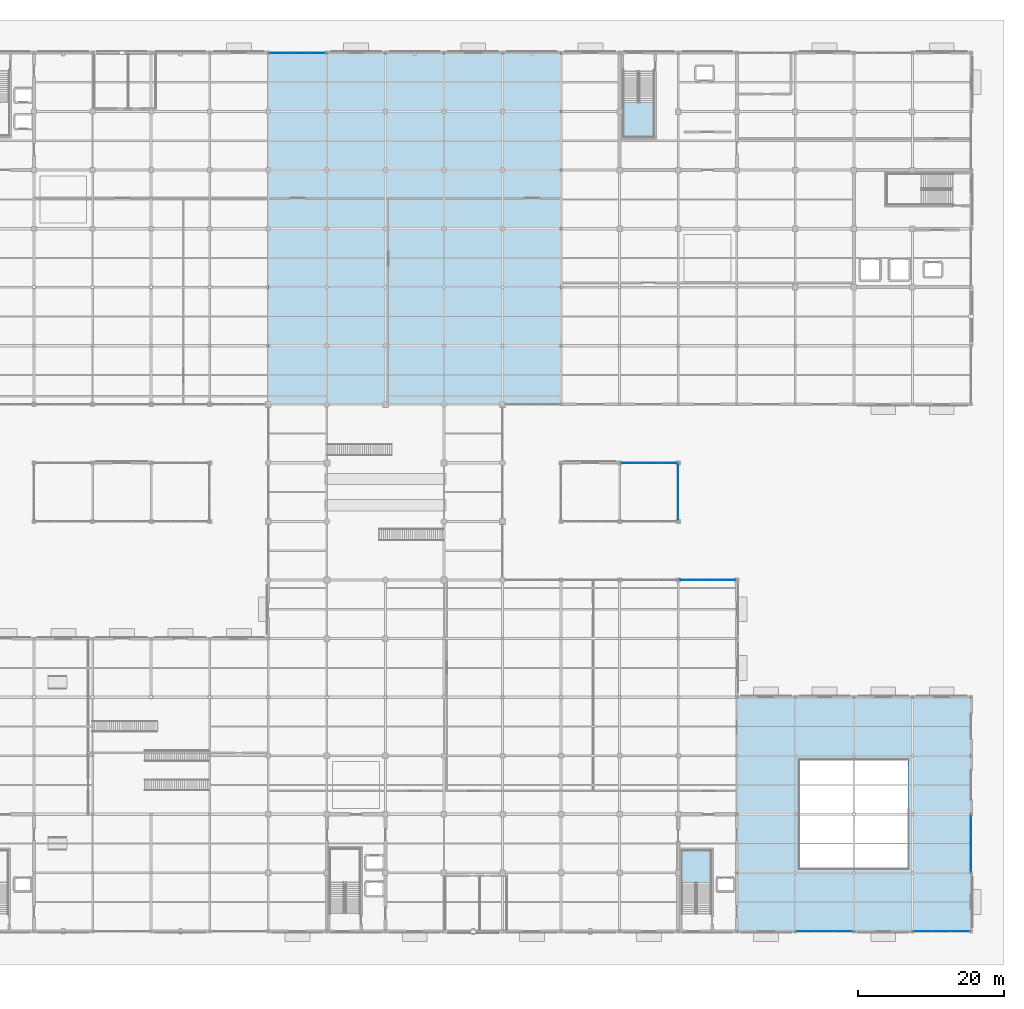
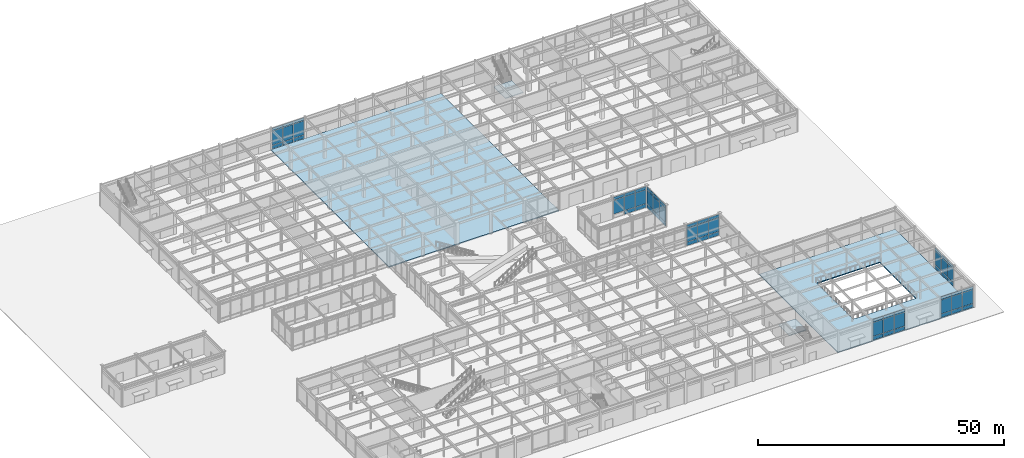
# One storey, part 98 of 128: 62 plates, 4 slabs, 9 elements without a shape of their own.
"""IFC4 building model written with IfcOpenShell, lengths in metres."""

from ifc_helpers import new_model, si_unit, direction, frame, origin, origin_2d, place, context, subcontext, project, spatial, polyline, rectangle, outline, extrude, material, layer, layer_set, type_object, element, aggregate, save


model = new_model("IFC4")

# Units and contexts
model_context = context("Model", 3, precision=1e-05, world=origin(), true_north=direction((0.0, 1.0)))
body_context = subcontext(model_context, "Body", "Model", "MODEL_VIEW")
ifc_project = project(units=[si_unit("LENGTHUNIT", "METRE"), si_unit("AREAUNIT", "SQUARE_METRE"), si_unit("VOLUMEUNIT", "CUBIC_METRE"), si_unit("PLANEANGLEUNIT", "RADIAN"), si_unit("MASSUNIT", "GRAM", prefix="KILO")], contexts=[model_context])

# Site, building, storey
site_placement = place(None, origin())
site = spatial("IfcSite", under=ifc_project, at=site_placement, CompositionType="ELEMENT")
building_placement = place(site_placement, origin())
building = spatial("IfcBuilding", under=site, at=building_placement, Name="Solmirada Galleria", CompositionType="ELEMENT")
storey_placement = place(building_placement, origin())
storey = spatial("IfcBuildingStorey", under=building, at=storey_placement, Name="L00", CompositionType="ELEMENT", Elevation=0.0)

# Curtain wall, plates
ifc_material_1 = material(Name="Impact-resistant low-E double glazing", Category="glass")
curtain_wall_type_1 = type_object("IfcCurtainWallType", Name="CW-FZ4-L00-B3-L076", PredefinedType="NOTDEFINED", material=ifc_material_1)
curtain_wall_1_placement = place(storey_placement, origin())
curtain_wall_1 = element("IfcCurtainWall", 1, at=curtain_wall_1_placement, inside=storey, type_object=curtain_wall_type_1, Name="Terrace and arcade storefront CW-L00-009", PredefinedType="NOTDEFINED")
ifc_layer_1 = layer(ifc_material_1, 0.028076171875)
ifc_layer_set_1 = layer_set([ifc_layer_1], Name="Impact-resistant low-E double glazing")
plate_type_1 = type_object("IfcPlateType", Name="CW-PNL-CW04-T28", PredefinedType="CURTAIN_PANEL", material=ifc_layer_set_1)
plate_1_placement = place(storey_placement, frame((81.487548828125, 120.0, 0.06494140625), z_axis=(0.0, 0.0, 1.0), x_axis=(1.0, 0.0, 0.0)))
plate_1 = element("IfcPlate", 2, at=plate_1_placement, type_object=plate_type_1, Name="CW04 panel 1.1", PredefinedType="CURTAIN_PANEL", context=body_context, shape_type="SweptSolid", body=[
    extrude(rectangle(XDim=2.425048828125, YDim=0.028076171875, at=origin_2d()), origin(), (0.0, 0.0, 1.0), 0.842529296875),
])
plate_2_placement = place(storey_placement, frame((81.487548828125, 120.0, 0.97265625), z_axis=(0.0, 0.0, 1.0), x_axis=(1.0, 0.0, 0.0)))
plate_2 = element("IfcPlate", 3, at=plate_2_placement, type_object=plate_type_1, Name="CW04 panel 1.2", PredefinedType="CURTAIN_PANEL", context=body_context, shape_type="SweptSolid", body=[
    extrude(rectangle(XDim=2.425048828125, YDim=0.028076171875, at=origin_2d()), origin(), (0.0, 0.0, 1.0), 3.5048828125),
])
plate_3_placement = place(storey_placement, frame((81.487548828125, 120.0, 4.54248046875), z_axis=(0.0, 0.0, 1.0), x_axis=(1.0, 0.0, 0.0)))
plate_3 = element("IfcPlate", 4, at=plate_3_placement, type_object=plate_type_1, Name="CW04 panel 1.3", PredefinedType="CURTAIN_PANEL", context=body_context, shape_type="SweptSolid", body=[
    extrude(rectangle(XDim=2.425048828125, YDim=0.028076171875, at=origin_2d()), origin(), (0.0, 0.0, 1.0), 0.71240234375),
])
plate_4_placement = place(storey_placement, frame((84.0, 120.0, 0.06494140625), z_axis=(0.0, 0.0, 1.0), x_axis=(1.0, 0.0, 0.0)))
plate_4 = element("IfcPlate", 5, at=plate_4_placement, type_object=plate_type_1, Name="CW04 panel 2.1", PredefinedType="CURTAIN_PANEL", context=body_context, shape_type="SweptSolid", body=[
    extrude(rectangle(XDim=2.4599609375, YDim=0.028076171875, at=origin_2d()), origin(), (0.0, 0.0, 1.0), 0.842529296875),
])
plate_5_placement = place(storey_placement, frame((84.0, 120.0, 0.97265625), z_axis=(0.0, 0.0, 1.0), x_axis=(1.0, 0.0, 0.0)))
plate_5 = element("IfcPlate", 6, at=plate_5_placement, type_object=plate_type_1, Name="CW04 panel 2.2", PredefinedType="CURTAIN_PANEL", context=body_context, shape_type="SweptSolid", body=[
    extrude(rectangle(XDim=2.4599609375, YDim=0.028076171875, at=origin_2d()), origin(), (0.0, 0.0, 1.0), 3.5048828125),
])
plate_6_placement = place(storey_placement, frame((84.0, 120.0, 4.54248046875), z_axis=(0.0, 0.0, 1.0), x_axis=(1.0, 0.0, 0.0)))
plate_6 = element("IfcPlate", 7, at=plate_6_placement, type_object=plate_type_1, Name="CW04 panel 2.3", PredefinedType="CURTAIN_PANEL", context=body_context, shape_type="SweptSolid", body=[
    extrude(rectangle(XDim=2.4599609375, YDim=0.028076171875, at=origin_2d()), origin(), (0.0, 0.0, 1.0), 0.71240234375),
])
plate_7_placement = place(storey_placement, frame((86.512451171875, 120.0, 0.06494140625), z_axis=(0.0, 0.0, 1.0), x_axis=(1.0, 0.0, 0.0)))
plate_7 = element("IfcPlate", 8, at=plate_7_placement, type_object=plate_type_1, Name="CW04 panel 3.1", PredefinedType="CURTAIN_PANEL", context=body_context, shape_type="SweptSolid", body=[
    extrude(rectangle(XDim=2.425048828125, YDim=0.028076171875, at=origin_2d()), origin(), (0.0, 0.0, 1.0), 0.842529296875),
])
plate_8_placement = place(storey_placement, frame((86.512451171875, 120.0, 0.97265625), z_axis=(0.0, 0.0, 1.0), x_axis=(1.0, 0.0, 0.0)))
plate_8 = element("IfcPlate", 9, at=plate_8_placement, type_object=plate_type_1, Name="CW04 panel 3.2", PredefinedType="CURTAIN_PANEL", context=body_context, shape_type="SweptSolid", body=[
    extrude(rectangle(XDim=2.425048828125, YDim=0.028076171875, at=origin_2d()), origin(), (0.0, 0.0, 1.0), 3.5048828125),
])
plate_9_placement = place(storey_placement, frame((86.512451171875, 120.0, 4.54248046875), z_axis=(0.0, 0.0, 1.0), x_axis=(1.0, 0.0, 0.0)))
plate_9 = element("IfcPlate", 10, at=plate_9_placement, type_object=plate_type_1, Name="CW04 panel 3.3", PredefinedType="CURTAIN_PANEL", context=body_context, shape_type="SweptSolid", body=[
    extrude(rectangle(XDim=2.425048828125, YDim=0.028076171875, at=origin_2d()), origin(), (0.0, 0.0, 1.0), 0.71240234375),
])
aggregate(curtain_wall_1, [plate_1, plate_2, plate_3, plate_4, plate_5, plate_6, plate_7, plate_8, plate_9])

curtain_wall_type_2 = type_object("IfcCurtainWallType", Name="CW-FZ5-L00-B3-L077", PredefinedType="NOTDEFINED", material=ifc_material_1)
curtain_wall_2_placement = place(storey_placement, origin())
curtain_wall_2 = element("IfcCurtainWall", 11, at=curtain_wall_2_placement, inside=storey, type_object=curtain_wall_type_2, Name="Terrace and arcade storefront CW-L00-022", PredefinedType="NOTDEFINED")
ifc_layer_2 = layer(ifc_material_1, 0.048095703125)
ifc_layer_set_2 = layer_set([ifc_layer_2], Name="Impact-resistant low-E double glazing")
plate_type_2 = type_object("IfcPlateType", Name="CW-PNL-CW08-T48", PredefinedType="CURTAIN_PANEL", material=ifc_layer_set_2)
plate_10_placement = place(storey_placement, frame((137.436767578125, 48.0, 0.06494140625), z_axis=(0.0, 0.0, 1.0), x_axis=(1.0, 0.0, 0.0)))
plate_10 = element("IfcPlate", 12, at=plate_10_placement, type_object=plate_type_2, Name="CW08 panel 1.1", PredefinedType="CURTAIN_PANEL", context=body_context, shape_type="SweptSolid", body=[
    extrude(rectangle(XDim=2.4755859375, YDim=0.048095703125, at=origin_2d()), origin(), (0.0, 0.0, 1.0), 0.902587890625),
])
plate_11_placement = place(storey_placement, frame((137.436767578125, 48.0, 1.032470703125), z_axis=(0.0, 0.0, 1.0), x_axis=(1.0, 0.0, 0.0)))
plate_11 = element("IfcPlate", 13, at=plate_11_placement, type_object=plate_type_2, Name="CW08 panel 1.2", PredefinedType="CURTAIN_PANEL", context=body_context, shape_type="SweptSolid", body=[
    extrude(rectangle(XDim=2.4755859375, YDim=0.048095703125, at=origin_2d()), origin(), (0.0, 0.0, 1.0), 3.39501953125),
])
plate_12_placement = place(storey_placement, frame((137.436767578125, 48.0, 4.49267578125), z_axis=(0.0, 0.0, 1.0), x_axis=(1.0, 0.0, 0.0)))
plate_12 = element("IfcPlate", 14, at=plate_12_placement, type_object=plate_type_2, Name="CW08 panel 1.3", PredefinedType="CURTAIN_PANEL", context=body_context, shape_type="SweptSolid", body=[
    extrude(rectangle(XDim=2.4755859375, YDim=0.048095703125, at=origin_2d()), origin(), (0.0, 0.0, 1.0), 0.762451171875),
])
plate_13_placement = place(storey_placement, frame((140.0, 48.0, 0.06494140625), z_axis=(0.0, 0.0, 1.0), x_axis=(1.0, 0.0, 0.0)))
plate_13 = element("IfcPlate", 15, at=plate_13_placement, type_object=plate_type_2, Name="CW08 panel 2.1", PredefinedType="CURTAIN_PANEL", context=body_context, shape_type="SweptSolid", body=[
    extrude(rectangle(XDim=2.5107421875, YDim=0.048095703125, at=origin_2d()), origin(), (0.0, 0.0, 1.0), 0.902587890625),
])
plate_14_placement = place(storey_placement, frame((140.0, 48.0, 1.032470703125), z_axis=(0.0, 0.0, 1.0), x_axis=(1.0, 0.0, 0.0)))
plate_14 = element("IfcPlate", 16, at=plate_14_placement, type_object=plate_type_2, Name="CW08 panel 2.2", PredefinedType="CURTAIN_PANEL", context=body_context, shape_type="SweptSolid", body=[
    extrude(rectangle(XDim=2.5107421875, YDim=0.048095703125, at=origin_2d()), origin(), (0.0, 0.0, 1.0), 3.39501953125),
])
plate_15_placement = place(storey_placement, frame((140.0, 48.0, 4.49267578125), z_axis=(0.0, 0.0, 1.0), x_axis=(1.0, 0.0, 0.0)))
plate_15 = element("IfcPlate", 17, at=plate_15_placement, type_object=plate_type_2, Name="CW08 panel 2.3", PredefinedType="CURTAIN_PANEL", context=body_context, shape_type="SweptSolid", body=[
    extrude(rectangle(XDim=2.5107421875, YDim=0.048095703125, at=origin_2d()), origin(), (0.0, 0.0, 1.0), 0.762451171875),
])
plate_16_placement = place(storey_placement, frame((142.563232421875, 48.0, 0.06494140625), z_axis=(0.0, 0.0, 1.0), x_axis=(1.0, 0.0, 0.0)))
plate_16 = element("IfcPlate", 18, at=plate_16_placement, type_object=plate_type_2, Name="CW08 panel 3.1", PredefinedType="CURTAIN_PANEL", context=body_context, shape_type="SweptSolid", body=[
    extrude(rectangle(XDim=2.4755859375, YDim=0.048095703125, at=origin_2d()), origin(), (0.0, 0.0, 1.0), 0.902587890625),
])
plate_17_placement = place(storey_placement, frame((142.563232421875, 48.0, 1.032470703125), z_axis=(0.0, 0.0, 1.0), x_axis=(1.0, 0.0, 0.0)))
plate_17 = element("IfcPlate", 19, at=plate_17_placement, type_object=plate_type_2, Name="CW08 panel 3.2", PredefinedType="CURTAIN_PANEL", context=body_context, shape_type="SweptSolid", body=[
    extrude(rectangle(XDim=2.4755859375, YDim=0.048095703125, at=origin_2d()), origin(), (0.0, 0.0, 1.0), 3.39501953125),
])
plate_18_placement = place(storey_placement, frame((142.563232421875, 48.0, 4.49267578125), z_axis=(0.0, 0.0, 1.0), x_axis=(1.0, 0.0, 0.0)))
plate_18 = element("IfcPlate", 20, at=plate_18_placement, type_object=plate_type_2, Name="CW08 panel 3.3", PredefinedType="CURTAIN_PANEL", context=body_context, shape_type="SweptSolid", body=[
    extrude(rectangle(XDim=2.4755859375, YDim=0.048095703125, at=origin_2d()), origin(), (0.0, 0.0, 1.0), 0.762451171875),
])
aggregate(curtain_wall_2, [plate_10, plate_11, plate_12, plate_13, plate_14, plate_15, plate_16, plate_17, plate_18])

curtain_wall_3_placement = place(storey_placement, origin())
curtain_wall_3 = element("IfcCurtainWall", 21, at=curtain_wall_3_placement, inside=storey, type_object=curtain_wall_type_2, Name="Terrace and arcade storefront CW-L00-041", PredefinedType="NOTDEFINED")
plate_19_placement = place(storey_placement, frame((129.436767578125, 64.0, 1.032470703125), z_axis=(0.0, 0.0, 1.0), x_axis=(1.0, 0.0, 0.0)))
plate_19 = element("IfcPlate", 22, at=plate_19_placement, type_object=plate_type_2, Name="CW08 panel 1.2", PredefinedType="CURTAIN_PANEL", context=body_context, shape_type="SweptSolid", body=[
    extrude(rectangle(XDim=2.4755859375, YDim=0.048095703125, at=origin_2d()), origin(), (0.0, 0.0, 1.0), 3.39501953125),
])
plate_20_placement = place(storey_placement, frame((129.436767578125, 64.0, 4.49267578125), z_axis=(0.0, 0.0, 1.0), x_axis=(1.0, 0.0, 0.0)))
plate_20 = element("IfcPlate", 23, at=plate_20_placement, type_object=plate_type_2, Name="CW08 panel 1.3", PredefinedType="CURTAIN_PANEL", context=body_context, shape_type="SweptSolid", body=[
    extrude(rectangle(XDim=2.4755859375, YDim=0.048095703125, at=origin_2d()), origin(), (0.0, 0.0, 1.0), 0.762451171875),
])
plate_21_placement = place(storey_placement, frame((132.0, 64.0, 0.06494140625), z_axis=(0.0, 0.0, 1.0), x_axis=(1.0, 0.0, 0.0)))
plate_21 = element("IfcPlate", 24, at=plate_21_placement, type_object=plate_type_2, Name="CW08 panel 2.1", PredefinedType="CURTAIN_PANEL", context=body_context, shape_type="SweptSolid", body=[
    extrude(rectangle(XDim=2.5107421875, YDim=0.048095703125, at=origin_2d()), origin(), (0.0, 0.0, 1.0), 0.902587890625),
])
plate_22_placement = place(storey_placement, frame((132.0, 64.0, 1.032470703125), z_axis=(0.0, 0.0, 1.0), x_axis=(1.0, 0.0, 0.0)))
plate_22 = element("IfcPlate", 25, at=plate_22_placement, type_object=plate_type_2, Name="CW08 panel 2.2", PredefinedType="CURTAIN_PANEL", context=body_context, shape_type="SweptSolid", body=[
    extrude(rectangle(XDim=2.5107421875, YDim=0.048095703125, at=origin_2d()), origin(), (0.0, 0.0, 1.0), 3.39501953125),
])
plate_23_placement = place(storey_placement, frame((132.0, 64.0, 4.49267578125), z_axis=(0.0, 0.0, 1.0), x_axis=(1.0, 0.0, 0.0)))
plate_23 = element("IfcPlate", 26, at=plate_23_placement, type_object=plate_type_2, Name="CW08 panel 2.3", PredefinedType="CURTAIN_PANEL", context=body_context, shape_type="SweptSolid", body=[
    extrude(rectangle(XDim=2.5107421875, YDim=0.048095703125, at=origin_2d()), origin(), (0.0, 0.0, 1.0), 0.762451171875),
])
plate_24_placement = place(storey_placement, frame((134.563232421875, 64.0, 0.06494140625), z_axis=(0.0, 0.0, 1.0), x_axis=(1.0, 0.0, 0.0)))
plate_24 = element("IfcPlate", 27, at=plate_24_placement, type_object=plate_type_2, Name="CW08 panel 3.1", PredefinedType="CURTAIN_PANEL", context=body_context, shape_type="SweptSolid", body=[
    extrude(rectangle(XDim=2.4755859375, YDim=0.048095703125, at=origin_2d()), origin(), (0.0, 0.0, 1.0), 0.902587890625),
])
plate_25_placement = place(storey_placement, frame((134.563232421875, 64.0, 1.032470703125), z_axis=(0.0, 0.0, 1.0), x_axis=(1.0, 0.0, 0.0)))
plate_25 = element("IfcPlate", 28, at=plate_25_placement, type_object=plate_type_2, Name="CW08 panel 3.2", PredefinedType="CURTAIN_PANEL", context=body_context, shape_type="SweptSolid", body=[
    extrude(rectangle(XDim=2.4755859375, YDim=0.048095703125, at=origin_2d()), origin(), (0.0, 0.0, 1.0), 3.39501953125),
])
plate_26_placement = place(storey_placement, frame((134.563232421875, 64.0, 4.49267578125), z_axis=(0.0, 0.0, 1.0), x_axis=(1.0, 0.0, 0.0)))
plate_26 = element("IfcPlate", 29, at=plate_26_placement, type_object=plate_type_2, Name="CW08 panel 3.3", PredefinedType="CURTAIN_PANEL", context=body_context, shape_type="SweptSolid", body=[
    extrude(rectangle(XDim=2.4755859375, YDim=0.048095703125, at=origin_2d()), origin(), (0.0, 0.0, 1.0), 0.762451171875),
])
aggregate(curtain_wall_3, [plate_19, plate_20, plate_21, plate_22, plate_23, plate_24, plate_25, plate_26])

curtain_wall_4_placement = place(storey_placement, origin())
curtain_wall_4 = element("IfcCurtainWall", 30, at=curtain_wall_4_placement, inside=storey, type_object=curtain_wall_type_2, Name="Terrace and arcade storefront CW-L00-042", PredefinedType="NOTDEFINED")
plate_27_placement = place(storey_placement, frame((136.0, 62.563232421875, 0.06494140625), z_axis=(0.0, 0.0, 1.0), x_axis=(0.0, -1.0, 0.0)))
plate_27 = element("IfcPlate", 31, at=plate_27_placement, type_object=plate_type_2, Name="CW08 panel 1.1", PredefinedType="CURTAIN_PANEL", context=body_context, shape_type="SweptSolid", body=[
    extrude(rectangle(XDim=2.4755859375, YDim=0.048095703125, at=origin_2d()), origin(), (0.0, 0.0, 1.0), 0.902587890625),
])
plate_28_placement = place(storey_placement, frame((136.0, 62.563232421875, 1.032470703125), z_axis=(0.0, 0.0, 1.0), x_axis=(0.0, -1.0, 0.0)))
plate_28 = element("IfcPlate", 32, at=plate_28_placement, type_object=plate_type_2, Name="CW08 panel 1.2", PredefinedType="CURTAIN_PANEL", context=body_context, shape_type="SweptSolid", body=[
    extrude(rectangle(XDim=2.4755859375, YDim=0.048095703125, at=origin_2d()), origin(), (0.0, 0.0, 1.0), 3.39501953125),
])
plate_29_placement = place(storey_placement, frame((136.0, 62.563232421875, 4.49267578125), z_axis=(0.0, 0.0, 1.0), x_axis=(0.0, -1.0, 0.0)))
plate_29 = element("IfcPlate", 33, at=plate_29_placement, type_object=plate_type_2, Name="CW08 panel 1.3", PredefinedType="CURTAIN_PANEL", context=body_context, shape_type="SweptSolid", body=[
    extrude(rectangle(XDim=2.4755859375, YDim=0.048095703125, at=origin_2d()), origin(), (0.0, 0.0, 1.0), 0.762451171875),
])
plate_30_placement = place(storey_placement, frame((136.0, 60.0, 0.06494140625), z_axis=(0.0, 0.0, 1.0), x_axis=(0.0, -1.0, 0.0)))
plate_30 = element("IfcPlate", 34, at=plate_30_placement, type_object=plate_type_2, Name="CW08 panel 2.1", PredefinedType="CURTAIN_PANEL", context=body_context, shape_type="SweptSolid", body=[
    extrude(rectangle(XDim=2.5107421875, YDim=0.048095703125, at=origin_2d()), origin(), (0.0, 0.0, 1.0), 0.902587890625),
])
plate_31_placement = place(storey_placement, frame((136.0, 60.0, 1.032470703125), z_axis=(0.0, 0.0, 1.0), x_axis=(0.0, -1.0, 0.0)))
plate_31 = element("IfcPlate", 35, at=plate_31_placement, type_object=plate_type_2, Name="CW08 panel 2.2", PredefinedType="CURTAIN_PANEL", context=body_context, shape_type="SweptSolid", body=[
    extrude(rectangle(XDim=2.5107421875, YDim=0.048095703125, at=origin_2d()), origin(), (0.0, 0.0, 1.0), 3.39501953125),
])
plate_32_placement = place(storey_placement, frame((136.0, 60.0, 4.49267578125), z_axis=(0.0, 0.0, 1.0), x_axis=(0.0, -1.0, 0.0)))
plate_32 = element("IfcPlate", 36, at=plate_32_placement, type_object=plate_type_2, Name="CW08 panel 2.3", PredefinedType="CURTAIN_PANEL", context=body_context, shape_type="SweptSolid", body=[
    extrude(rectangle(XDim=2.5107421875, YDim=0.048095703125, at=origin_2d()), origin(), (0.0, 0.0, 1.0), 0.762451171875),
])
plate_33_placement = place(storey_placement, frame((136.0, 57.436767578125, 0.06494140625), z_axis=(0.0, 0.0, 1.0), x_axis=(0.0, -1.0, 0.0)))
plate_33 = element("IfcPlate", 37, at=plate_33_placement, type_object=plate_type_2, Name="CW08 panel 3.1", PredefinedType="CURTAIN_PANEL", context=body_context, shape_type="SweptSolid", body=[
    extrude(rectangle(XDim=2.4755859375, YDim=0.048095703125, at=origin_2d()), origin(), (0.0, 0.0, 1.0), 0.902587890625),
])
plate_34_placement = place(storey_placement, frame((136.0, 57.436767578125, 1.032470703125), z_axis=(0.0, 0.0, 1.0), x_axis=(0.0, -1.0, 0.0)))
plate_34 = element("IfcPlate", 38, at=plate_34_placement, type_object=plate_type_2, Name="CW08 panel 3.2", PredefinedType="CURTAIN_PANEL", context=body_context, shape_type="SweptSolid", body=[
    extrude(rectangle(XDim=2.4755859375, YDim=0.048095703125, at=origin_2d()), origin(), (0.0, 0.0, 1.0), 3.39501953125),
])
plate_35_placement = place(storey_placement, frame((136.0, 57.436767578125, 4.49267578125), z_axis=(0.0, 0.0, 1.0), x_axis=(0.0, -1.0, 0.0)))
plate_35 = element("IfcPlate", 39, at=plate_35_placement, type_object=plate_type_2, Name="CW08 panel 3.3", PredefinedType="CURTAIN_PANEL", context=body_context, shape_type="SweptSolid", body=[
    extrude(rectangle(XDim=2.4755859375, YDim=0.048095703125, at=origin_2d()), origin(), (0.0, 0.0, 1.0), 0.762451171875),
])
aggregate(curtain_wall_4, [plate_27, plate_28, plate_29, plate_30, plate_31, plate_32, plate_33, plate_34, plate_35])

curtain_wall_type_3 = type_object("IfcCurtainWallType", Name="CW-FZ5-L00-B3-L076", PredefinedType="NOTDEFINED", material=ifc_material_1)
curtain_wall_5_placement = place(storey_placement, origin())
curtain_wall_5 = element("IfcCurtainWall", 40, at=curtain_wall_5_placement, inside=storey, type_object=curtain_wall_type_3, Name="Terrace and arcade storefront CW-L00-023", PredefinedType="NOTDEFINED")
ifc_layer_3 = layer(ifc_material_1, 0.02392578125)
ifc_layer_set_3 = layer_set([ifc_layer_3], Name="Impact-resistant low-E double glazing")
plate_type_3 = type_object("IfcPlateType", Name="CW-PNL-CW09-T24", PredefinedType="CURTAIN_PANEL", material=ifc_layer_set_3)
plate_36_placement = place(storey_placement, frame((176.0, 14.529052734375, 0.06494140625), z_axis=(0.0, 0.0, 1.0), x_axis=(0.0, -1.0, 0.0)))
plate_36 = element("IfcPlate", 41, at=plate_36_placement, type_object=plate_type_3, Name="CW09 panel 1.1", PredefinedType="CURTAIN_PANEL", context=body_context, shape_type="SweptSolid", body=[
    extrude(rectangle(XDim=2.441650390625, YDim=0.02392578125, at=origin_2d()), origin(), (0.0, 0.0, 1.0), 0.902587890625),
])
plate_37_placement = place(storey_placement, frame((176.0, 14.529052734375, 1.032470703125), z_axis=(0.0, 0.0, 1.0), x_axis=(0.0, -1.0, 0.0)))
plate_37 = element("IfcPlate", 42, at=plate_37_placement, type_object=plate_type_3, Name="CW09 panel 1.2", PredefinedType="CURTAIN_PANEL", context=body_context, shape_type="SweptSolid", body=[
    extrude(rectangle(XDim=2.441650390625, YDim=0.02392578125, at=origin_2d()), origin(), (0.0, 0.0, 1.0), 3.39501953125),
])
plate_38_placement = place(storey_placement, frame((176.0, 14.529052734375, 4.49267578125), z_axis=(0.0, 0.0, 1.0), x_axis=(0.0, -1.0, 0.0)))
plate_38 = element("IfcPlate", 43, at=plate_38_placement, type_object=plate_type_3, Name="CW09 panel 1.3", PredefinedType="CURTAIN_PANEL", context=body_context, shape_type="SweptSolid", body=[
    extrude(rectangle(XDim=2.441650390625, YDim=0.02392578125, at=origin_2d()), origin(), (0.0, 0.0, 1.0), 0.762451171875),
])
plate_39_placement = place(storey_placement, frame((176.0, 12.0, 0.06494140625), z_axis=(0.0, 0.0, 1.0), x_axis=(0.0, -1.0, 0.0)))
plate_39 = element("IfcPlate", 44, at=plate_39_placement, type_object=plate_type_3, Name="CW09 panel 2.1", PredefinedType="CURTAIN_PANEL", context=body_context, shape_type="SweptSolid", body=[
    extrude(rectangle(XDim=2.4765625, YDim=0.02392578125, at=origin_2d()), origin(), (0.0, 0.0, 1.0), 0.902587890625),
])
plate_40_placement = place(storey_placement, frame((176.0, 12.0, 1.032470703125), z_axis=(0.0, 0.0, 1.0), x_axis=(0.0, -1.0, 0.0)))
plate_40 = element("IfcPlate", 45, at=plate_40_placement, type_object=plate_type_3, Name="CW09 panel 2.2", PredefinedType="CURTAIN_PANEL", context=body_context, shape_type="SweptSolid", body=[
    extrude(rectangle(XDim=2.4765625, YDim=0.02392578125, at=origin_2d()), origin(), (0.0, 0.0, 1.0), 3.39501953125),
])
plate_41_placement = place(storey_placement, frame((176.0, 12.0, 4.49267578125), z_axis=(0.0, 0.0, 1.0), x_axis=(0.0, -1.0, 0.0)))
plate_41 = element("IfcPlate", 46, at=plate_41_placement, type_object=plate_type_3, Name="CW09 panel 2.3", PredefinedType="CURTAIN_PANEL", context=body_context, shape_type="SweptSolid", body=[
    extrude(rectangle(XDim=2.4765625, YDim=0.02392578125, at=origin_2d()), origin(), (0.0, 0.0, 1.0), 0.762451171875),
])
plate_42_placement = place(storey_placement, frame((176.0, 9.470947265625, 0.06494140625), z_axis=(0.0, 0.0, 1.0), x_axis=(0.0, -1.0, 0.0)))
plate_42 = element("IfcPlate", 47, at=plate_42_placement, type_object=plate_type_3, Name="CW09 panel 3.1", PredefinedType="CURTAIN_PANEL", context=body_context, shape_type="SweptSolid", body=[
    extrude(rectangle(XDim=2.441650390625, YDim=0.02392578125, at=origin_2d()), origin(), (0.0, 0.0, 1.0), 0.902587890625),
])
plate_43_placement = place(storey_placement, frame((176.0, 9.470947265625, 1.032470703125), z_axis=(0.0, 0.0, 1.0), x_axis=(0.0, -1.0, 0.0)))
plate_43 = element("IfcPlate", 48, at=plate_43_placement, type_object=plate_type_3, Name="CW09 panel 3.2", PredefinedType="CURTAIN_PANEL", context=body_context, shape_type="SweptSolid", body=[
    extrude(rectangle(XDim=2.441650390625, YDim=0.02392578125, at=origin_2d()), origin(), (0.0, 0.0, 1.0), 3.39501953125),
])
plate_44_placement = place(storey_placement, frame((176.0, 9.470947265625, 4.49267578125), z_axis=(0.0, 0.0, 1.0), x_axis=(0.0, -1.0, 0.0)))
plate_44 = element("IfcPlate", 49, at=plate_44_placement, type_object=plate_type_3, Name="CW09 panel 3.3", PredefinedType="CURTAIN_PANEL", context=body_context, shape_type="SweptSolid", body=[
    extrude(rectangle(XDim=2.441650390625, YDim=0.02392578125, at=origin_2d()), origin(), (0.0, 0.0, 1.0), 0.762451171875),
])
aggregate(curtain_wall_5, [plate_36, plate_37, plate_38, plate_39, plate_40, plate_41, plate_42, plate_43, plate_44])

curtain_wall_6_placement = place(storey_placement, origin())
curtain_wall_6 = element("IfcCurtainWall", 50, at=curtain_wall_6_placement, inside=storey, type_object=curtain_wall_type_3, Name="Terrace and arcade storefront CW-L00-024", PredefinedType="NOTDEFINED")
plate_45_placement = place(storey_placement, frame((174.529052734375, 0.0, 0.06494140625), z_axis=(0.0, 0.0, 1.0), x_axis=(-1.0, 0.0, 0.0)))
plate_45 = element("IfcPlate", 51, at=plate_45_placement, type_object=plate_type_3, Name="CW09 panel 1.1", PredefinedType="CURTAIN_PANEL", context=body_context, shape_type="SweptSolid", body=[
    extrude(rectangle(XDim=2.441650390625, YDim=0.02392578125, at=origin_2d()), origin(), (0.0, 0.0, 1.0), 0.902587890625),
])
plate_46_placement = place(storey_placement, frame((174.529052734375, 0.0, 1.032470703125), z_axis=(0.0, 0.0, 1.0), x_axis=(-1.0, 0.0, 0.0)))
plate_46 = element("IfcPlate", 52, at=plate_46_placement, type_object=plate_type_3, Name="CW09 panel 1.2", PredefinedType="CURTAIN_PANEL", context=body_context, shape_type="SweptSolid", body=[
    extrude(rectangle(XDim=2.441650390625, YDim=0.02392578125, at=origin_2d()), origin(), (0.0, 0.0, 1.0), 3.39501953125),
])
plate_47_placement = place(storey_placement, frame((174.529052734375, 0.0, 4.49267578125), z_axis=(0.0, 0.0, 1.0), x_axis=(-1.0, 0.0, 0.0)))
plate_47 = element("IfcPlate", 53, at=plate_47_placement, type_object=plate_type_3, Name="CW09 panel 1.3", PredefinedType="CURTAIN_PANEL", context=body_context, shape_type="SweptSolid", body=[
    extrude(rectangle(XDim=2.441650390625, YDim=0.02392578125, at=origin_2d()), origin(), (0.0, 0.0, 1.0), 0.762451171875),
])
plate_48_placement = place(storey_placement, frame((172.0, 0.0, 0.06494140625), z_axis=(0.0, 0.0, 1.0), x_axis=(-1.0, 0.0, 0.0)))
plate_48 = element("IfcPlate", 54, at=plate_48_placement, type_object=plate_type_3, Name="CW09 panel 2.1", PredefinedType="CURTAIN_PANEL", context=body_context, shape_type="SweptSolid", body=[
    extrude(rectangle(XDim=2.4765625, YDim=0.02392578125, at=origin_2d()), origin(), (0.0, 0.0, 1.0), 0.902587890625),
])
plate_49_placement = place(storey_placement, frame((172.0, 0.0, 1.032470703125), z_axis=(0.0, 0.0, 1.0), x_axis=(-1.0, 0.0, 0.0)))
plate_49 = element("IfcPlate", 55, at=plate_49_placement, type_object=plate_type_3, Name="CW09 panel 2.2", PredefinedType="CURTAIN_PANEL", context=body_context, shape_type="SweptSolid", body=[
    extrude(rectangle(XDim=2.4765625, YDim=0.02392578125, at=origin_2d()), origin(), (0.0, 0.0, 1.0), 3.39501953125),
])
plate_50_placement = place(storey_placement, frame((172.0, 0.0, 4.49267578125), z_axis=(0.0, 0.0, 1.0), x_axis=(-1.0, 0.0, 0.0)))
plate_50 = element("IfcPlate", 56, at=plate_50_placement, type_object=plate_type_3, Name="CW09 panel 2.3", PredefinedType="CURTAIN_PANEL", context=body_context, shape_type="SweptSolid", body=[
    extrude(rectangle(XDim=2.4765625, YDim=0.02392578125, at=origin_2d()), origin(), (0.0, 0.0, 1.0), 0.762451171875),
])
plate_51_placement = place(storey_placement, frame((169.470947265625, 0.0, 0.06494140625), z_axis=(0.0, 0.0, 1.0), x_axis=(-1.0, 0.0, 0.0)))
plate_51 = element("IfcPlate", 57, at=plate_51_placement, type_object=plate_type_3, Name="CW09 panel 3.1", PredefinedType="CURTAIN_PANEL", context=body_context, shape_type="SweptSolid", body=[
    extrude(rectangle(XDim=2.441650390625, YDim=0.02392578125, at=origin_2d()), origin(), (0.0, 0.0, 1.0), 0.902587890625),
])
plate_52_placement = place(storey_placement, frame((169.470947265625, 0.0, 1.032470703125), z_axis=(0.0, 0.0, 1.0), x_axis=(-1.0, 0.0, 0.0)))
plate_52 = element("IfcPlate", 58, at=plate_52_placement, type_object=plate_type_3, Name="CW09 panel 3.2", PredefinedType="CURTAIN_PANEL", context=body_context, shape_type="SweptSolid", body=[
    extrude(rectangle(XDim=2.441650390625, YDim=0.02392578125, at=origin_2d()), origin(), (0.0, 0.0, 1.0), 3.39501953125),
])
plate_53_placement = place(storey_placement, frame((169.470947265625, 0.0, 4.49267578125), z_axis=(0.0, 0.0, 1.0), x_axis=(-1.0, 0.0, 0.0)))
plate_53 = element("IfcPlate", 59, at=plate_53_placement, type_object=plate_type_3, Name="CW09 panel 3.3", PredefinedType="CURTAIN_PANEL", context=body_context, shape_type="SweptSolid", body=[
    extrude(rectangle(XDim=2.441650390625, YDim=0.02392578125, at=origin_2d()), origin(), (0.0, 0.0, 1.0), 0.762451171875),
])
aggregate(curtain_wall_6, [plate_45, plate_46, plate_47, plate_48, plate_49, plate_50, plate_51, plate_52, plate_53])

curtain_wall_7_placement = place(storey_placement, origin())
curtain_wall_7 = element("IfcCurtainWall", 60, at=curtain_wall_7_placement, inside=storey, type_object=curtain_wall_type_3, Name="Terrace and arcade storefront CW-L00-025", PredefinedType="NOTDEFINED")
plate_54_placement = place(storey_placement, frame((158.529052734375, 0.0, 0.06494140625), z_axis=(0.0, 0.0, 1.0), x_axis=(-1.0, 0.0, 0.0)))
plate_54 = element("IfcPlate", 61, at=plate_54_placement, type_object=plate_type_3, Name="CW09 panel 1.1", PredefinedType="CURTAIN_PANEL", context=body_context, shape_type="SweptSolid", body=[
    extrude(rectangle(XDim=2.441650390625, YDim=0.02392578125, at=origin_2d()), origin(), (0.0, 0.0, 1.0), 0.902587890625),
])
plate_55_placement = place(storey_placement, frame((158.529052734375, 0.0, 1.032470703125), z_axis=(0.0, 0.0, 1.0), x_axis=(-1.0, 0.0, 0.0)))
plate_55 = element("IfcPlate", 62, at=plate_55_placement, type_object=plate_type_3, Name="CW09 panel 1.2", PredefinedType="CURTAIN_PANEL", context=body_context, shape_type="SweptSolid", body=[
    extrude(rectangle(XDim=2.441650390625, YDim=0.02392578125, at=origin_2d()), origin(), (0.0, 0.0, 1.0), 3.39501953125),
])
plate_56_placement = place(storey_placement, frame((158.529052734375, 0.0, 4.49267578125), z_axis=(0.0, 0.0, 1.0), x_axis=(-1.0, 0.0, 0.0)))
plate_56 = element("IfcPlate", 63, at=plate_56_placement, type_object=plate_type_3, Name="CW09 panel 1.3", PredefinedType="CURTAIN_PANEL", context=body_context, shape_type="SweptSolid", body=[
    extrude(rectangle(XDim=2.441650390625, YDim=0.02392578125, at=origin_2d()), origin(), (0.0, 0.0, 1.0), 0.762451171875),
])
plate_57_placement = place(storey_placement, frame((156.0, 0.0, 0.06494140625), z_axis=(0.0, 0.0, 1.0), x_axis=(-1.0, 0.0, 0.0)))
plate_57 = element("IfcPlate", 64, at=plate_57_placement, type_object=plate_type_3, Name="CW09 panel 2.1", PredefinedType="CURTAIN_PANEL", context=body_context, shape_type="SweptSolid", body=[
    extrude(rectangle(XDim=2.4765625, YDim=0.02392578125, at=origin_2d()), origin(), (0.0, 0.0, 1.0), 0.902587890625),
])
plate_58_placement = place(storey_placement, frame((156.0, 0.0, 1.032470703125), z_axis=(0.0, 0.0, 1.0), x_axis=(-1.0, 0.0, 0.0)))
plate_58 = element("IfcPlate", 65, at=plate_58_placement, type_object=plate_type_3, Name="CW09 panel 2.2", PredefinedType="CURTAIN_PANEL", context=body_context, shape_type="SweptSolid", body=[
    extrude(rectangle(XDim=2.4765625, YDim=0.02392578125, at=origin_2d()), origin(), (0.0, 0.0, 1.0), 3.39501953125),
])
plate_59_placement = place(storey_placement, frame((156.0, 0.0, 4.49267578125), z_axis=(0.0, 0.0, 1.0), x_axis=(-1.0, 0.0, 0.0)))
plate_59 = element("IfcPlate", 66, at=plate_59_placement, type_object=plate_type_3, Name="CW09 panel 2.3", PredefinedType="CURTAIN_PANEL", context=body_context, shape_type="SweptSolid", body=[
    extrude(rectangle(XDim=2.4765625, YDim=0.02392578125, at=origin_2d()), origin(), (0.0, 0.0, 1.0), 0.762451171875),
])
plate_60_placement = place(storey_placement, frame((153.470947265625, 0.0, 0.06494140625), z_axis=(0.0, 0.0, 1.0), x_axis=(-1.0, 0.0, 0.0)))
plate_60 = element("IfcPlate", 67, at=plate_60_placement, type_object=plate_type_3, Name="CW09 panel 3.1", PredefinedType="CURTAIN_PANEL", context=body_context, shape_type="SweptSolid", body=[
    extrude(rectangle(XDim=2.441650390625, YDim=0.02392578125, at=origin_2d()), origin(), (0.0, 0.0, 1.0), 0.902587890625),
])
plate_61_placement = place(storey_placement, frame((153.470947265625, 0.0, 1.032470703125), z_axis=(0.0, 0.0, 1.0), x_axis=(-1.0, 0.0, 0.0)))
plate_61 = element("IfcPlate", 68, at=plate_61_placement, type_object=plate_type_3, Name="CW09 panel 3.2", PredefinedType="CURTAIN_PANEL", context=body_context, shape_type="SweptSolid", body=[
    extrude(rectangle(XDim=2.441650390625, YDim=0.02392578125, at=origin_2d()), origin(), (0.0, 0.0, 1.0), 3.39501953125),
])
plate_62_placement = place(storey_placement, frame((153.470947265625, 0.0, 4.49267578125), z_axis=(0.0, 0.0, 1.0), x_axis=(-1.0, 0.0, 0.0)))
plate_62 = element("IfcPlate", 69, at=plate_62_placement, type_object=plate_type_3, Name="CW09 panel 3.3", PredefinedType="CURTAIN_PANEL", context=body_context, shape_type="SweptSolid", body=[
    extrude(rectangle(XDim=2.441650390625, YDim=0.02392578125, at=origin_2d()), origin(), (0.0, 0.0, 1.0), 0.762451171875),
])
aggregate(curtain_wall_7, [plate_54, plate_55, plate_56, plate_57, plate_58, plate_59, plate_60, plate_61, plate_62])

# Slabs
ifc_material_2 = material(Name="Concrete C35/45", Category="concrete")
ifc_layer_4 = layer(ifc_material_2, 0.219970703125)
ifc_layer_set_4 = layer_set([ifc_layer_4], Name="Concrete C35/45")
slab_type_1 = type_object("IfcSlabType", Name="SLB-FLOOR-220", PredefinedType="FLOOR", material=ifc_layer_set_4)
slab_1_placement = place(storey_placement, frame((0.0, 0.0, -0.219970703125)))
element("IfcSlab", 70, at=slab_1_placement, inside=storey, type_object=slab_type_1, Name="Slab L00-NORTH-E", PredefinedType="FLOOR", context=body_context, shape_type="SweptSolid", body=[
    extrude(outline(polyline([(80.0, 72.0), (120.0, 72.0), (120.0, 120.0), (80.0, 120.0), (80.0, 72.0)])), origin(), (0.0, 0.0, 1.0), 0.219970703125),
])
slab_2_placement = place(storey_placement, frame((0.0, 0.0, -0.219970703125)))
element("IfcSlab", 71, at=slab_2_placement, inside=storey, type_object=slab_type_1, Name="Slab L00-EAST-RET", PredefinedType="FLOOR", context=body_context, shape_type="SweptSolid", body=[
    extrude(outline(polyline([(144.0, 0.0), (176.0, 0.0), (176.0, 32.0), (144.0, 32.0), (144.0, 0.0)]), holes=[polyline([(152.60009765625, 8.60009765625), (167.39990234375, 8.60009765625), (167.39990234375, 23.39990234375), (152.60009765625, 23.39990234375), (152.60009765625, 8.60009765625)])]), origin(), (0.0, 0.0, 1.0), 0.219970703125),
])

# Stair, slab
stair_type_1 = type_object("IfcStairType", Name="STR-DOG-205-H56", PredefinedType="HALF_TURN_STAIR", material=ifc_material_2)
stair_1_placement = place(storey_placement, origin())
stair_1 = element("IfcStair", 72, at=stair_1_placement, inside=storey, type_object=stair_type_1, Name="L00 North Avenue High-Rise Core Exit Stair ST3", PredefinedType="HALF_TURN_STAIR")
ifc_layer_5 = layer(ifc_material_2, 0.199951171875)
ifc_layer_set_5 = layer_set([ifc_layer_5], Name="Concrete C35/45")
slab_type_2 = type_object("IfcSlabType", Name="SLB-LAND-200", PredefinedType="LANDING", material=ifc_layer_set_5)
slab_3_placement = place(storey_placement, frame((0.0, 0.0, 2.60009765625)))
slab_3 = element("IfcSlab", 73, at=slab_3_placement, type_object=slab_type_2, Name="ST3 landing 1", PredefinedType="LANDING", context=body_context, shape_type="SweptSolid", body=[
    extrude(outline(polyline([(128.5, 113.25), (128.5, 108.5), (132.75, 108.5), (132.75, 113.25), (128.5, 113.25)])), origin(), (0.0, 0.0, 1.0), 0.199951171875),
])
aggregate(stair_1, [slab_3])

stair_type_2 = type_object("IfcStairType", Name="STR-DOG-195-H56", PredefinedType="HALF_TURN_STAIR", material=ifc_material_2)
stair_2_placement = place(storey_placement, origin())
stair_2 = element("IfcStair", 74, at=stair_2_placement, inside=storey, type_object=stair_type_2, Name="L00 Southeast Podium Core Exit Stair ST6", PredefinedType="HALF_TURN_STAIR")
slab_4_placement = place(storey_placement, frame((0.0, 0.0, 2.60009765625)))
slab_4 = element("IfcSlab", 75, at=slab_4_placement, type_object=slab_type_2, Name="ST6 landing 1", PredefinedType="LANDING", context=body_context, shape_type="SweptSolid", body=[
    extrude(outline(polyline([(140.5, 6.64990234375), (140.5, 11.10009765625), (136.449951171875, 11.10009765625), (136.449951171875, 6.64990234375), (140.5, 6.64990234375)])), origin(), (0.0, 0.0, 1.0), 0.199951171875),
])
aggregate(stair_2, [slab_4])

save(model, "model.ifc")
